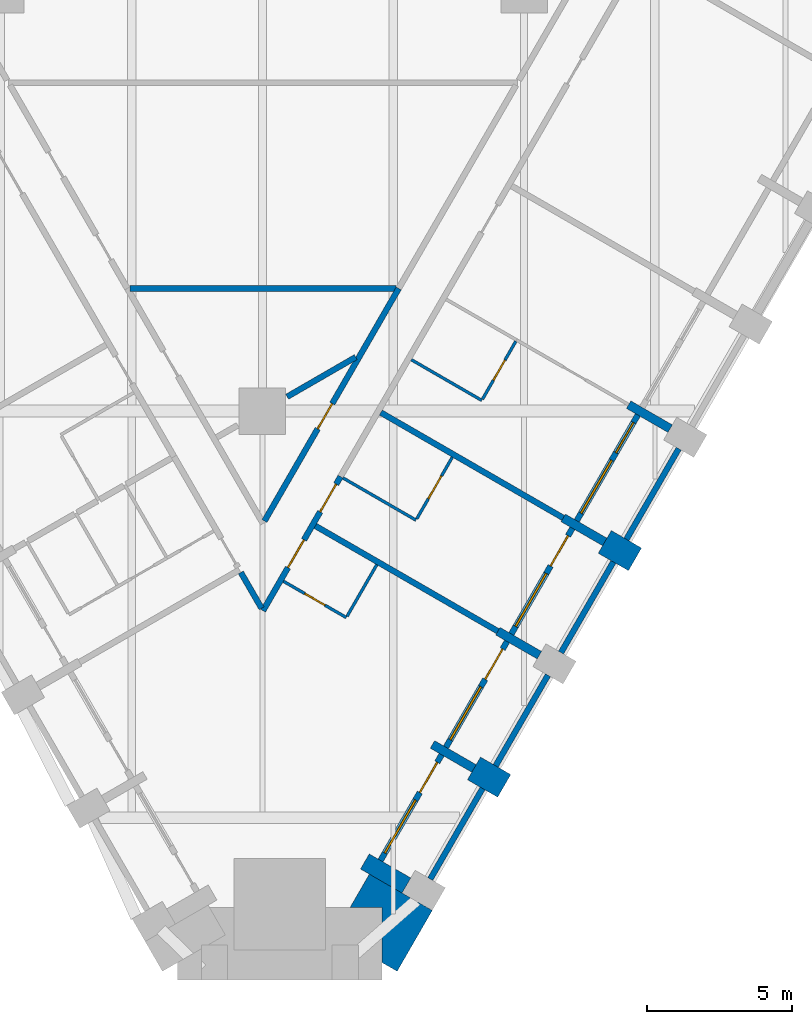
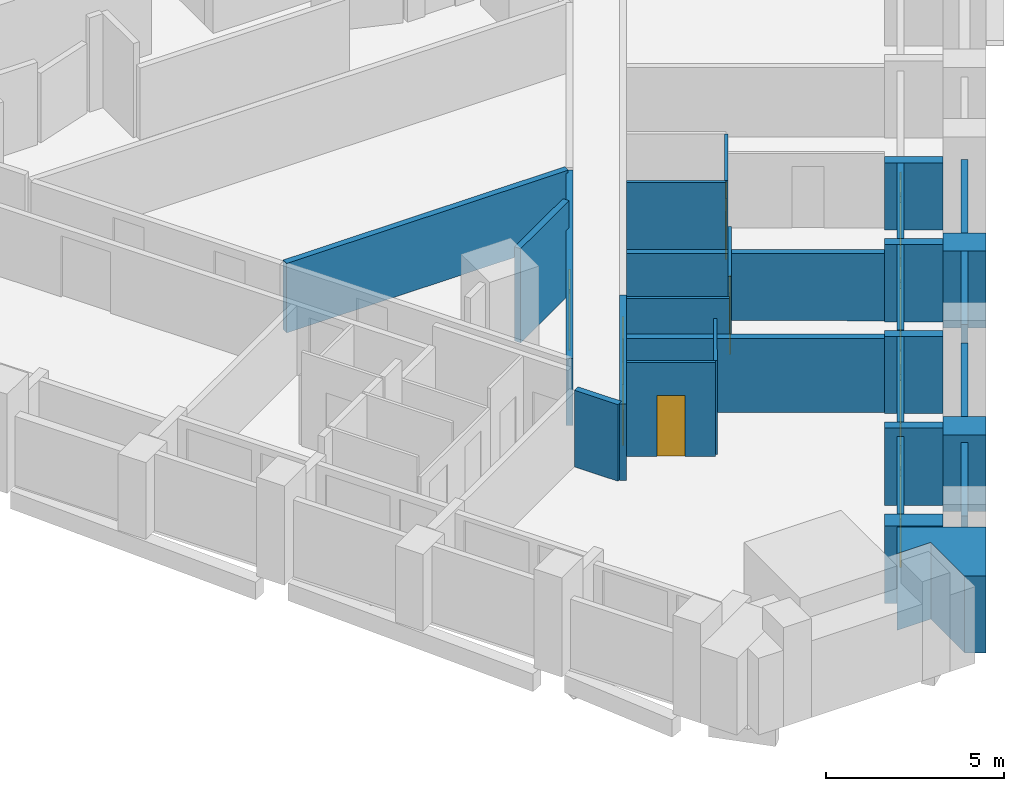
# One storey, part 4 of 10: 29 walls, 10 doors, 4 windows, 14 openings.
"""IFC4 building model written with IfcOpenShell, lengths in metres."""

from ifc_helpers import new_model, si_unit, direction, frame, frame_2d, origin, place, context, subcontext, project, spatial, polyline, rectangle, outline, extrude, material, layer, layer_set, type_object, element, fill, save


model = new_model("IFC4")

# Units and contexts
model_context = context("Model", 3, precision=1e-05, world=origin(), true_north=direction((0.0, 1.0)))
body_context = subcontext(model_context, "Body", "Model", "MODEL_VIEW")
ifc_project = project(units=[si_unit("LENGTHUNIT", "METRE"), si_unit("AREAUNIT", "SQUARE_METRE"), si_unit("VOLUMEUNIT", "CUBIC_METRE"), si_unit("PLANEANGLEUNIT", "RADIAN"), si_unit("MASSUNIT", "GRAM", prefix="KILO")], contexts=[model_context])

# Site, building, storey
site_placement = place(None, origin())
site = spatial("IfcSite", under=ifc_project, at=site_placement, CompositionType="ELEMENT")
building_placement = place(site_placement, origin())
building = spatial("IfcBuilding", under=site, at=building_placement, Name="Calabash Gate Tower", CompositionType="ELEMENT")
storey_placement = place(building_placement, frame((0.0, 0.0, 66.39990234375)))
storey = spatial("IfcBuildingStorey", under=building, at=storey_placement, Name="L12", CompositionType="ELEMENT", Elevation=66.39990234375)

# Walls
ifc_material_1 = material(Name="Terracotta brick masonry, exposed face", Category="masonry")
ifc_layer_1 = layer(ifc_material_1, 2.5)
ifc_layer_set_1 = layer_set([ifc_layer_1], Name="Brick corner mass wall 2500")
wall_type_1 = type_object("IfcWallType", Name="Brick corner mass wall 2500", PredefinedType="SOLIDWALL", material=ifc_layer_set_1)
wall_1_placement = place(storey_placement, origin())
element("IfcWall", 1, at=wall_1_placement, inside=storey, type_object=wall_type_1, Name="Brick corner pier S03 2c", PredefinedType="SOLIDWALL", context=body_context, shape_type="SweptSolid", body=[
    extrude(outline(polyline([(5.843017578125, -29.184814453125), (3.677978515625, -27.934814453125), (3.0185546875, -29.076904296875), (4.115478515625, -29.076904296875), (4.115478515625, -30.97705078125), (4.635009765625, -31.277099609375), (5.843017578125, -29.184814453125)])), origin(), (0.0, 0.0, 1.0), 2.630126953125),
])
ifc_material_2 = material(Name="Terracotta brick masonry, exposed face", Category="masonry")
ifc_layer_2 = layer(ifc_material_2, 1.199951171875)
ifc_layer_set_2 = layer_set([ifc_layer_2], Name="Brick end wall 1200")
wall_type_2 = type_object("IfcWallType", Name="Brick end wall 1200", PredefinedType="SOLIDWALL", material=ifc_layer_set_2)
for number, where, z_axis, x_axis, name in (
    (2, (7.27880859375, -24.298095703125, 0.0), (0.0, 0.0, 1.0), (0.866043267704, -0.499969057507, 0.0), "Brick pier S03 SE2.1"),
    (3, (12.81787109375, -17.103759765625, 0.0), (0.0, 0.0, 1.0), (-0.866043267704, 0.499969057507, 0.0), "Brick pier S03 SE2.3"),
):
    element("IfcWall", number, at=place(storey_placement, frame(where, z_axis=z_axis, x_axis=x_axis)), inside=storey, type_object=wall_type_2, Name=name, PredefinedType="SOLIDWALL", context=body_context, shape_type="SweptSolid", body=[
        extrude(rectangle(XDim=1.19970703125, YDim=0.89990234375, at=frame_2d((0.599853515625, 0.0))), origin(), (0.0, 0.0, 1.0), 2.630126953125),
    ])
ifc_material_3 = material(Name="Terracotta brick masonry, exposed face", Category="masonry")
ifc_layer_3 = layer(ifc_material_3, 0.300048828125)
ifc_layer_set_3 = layer_set([ifc_layer_3], Name="Brick loggia cheek wall 300")
wall_type_3 = type_object("IfcWallType", Name="Brick loggia cheek wall 300", PredefinedType="SOLIDWALL", material=ifc_layer_set_3)
wall_2_placement = place(storey_placement, frame((4.95361328125, -28.324951171875, 0.0), z_axis=(0.0, 0.0, 1.0), x_axis=(-0.866040211805, 0.499974350878, 0.0)))
element("IfcWall", 4, at=wall_2_placement, inside=storey, type_object=wall_type_3, Name="Loggia cheek S03 SE2.0", PredefinedType="SOLIDWALL", context=body_context, shape_type="SweptSolid", body=[
    extrude(rectangle(XDim=1.64990234375, YDim=0.60009765625, at=frame_2d((0.824951171875, 0.0))), origin(), (0.0, 0.0, 1.0), 2.650146484375),
])
wall_3_placement = place(storey_placement, frame((7.27880859375, -24.298095703125, 0.0), z_axis=(0.0, 0.0, 1.0), x_axis=(-0.866040211805, 0.499974350878, 0.0)))
element("IfcWall", 5, at=wall_3_placement, inside=storey, type_object=wall_type_3, Name="Loggia cheek S03 SE2.1", PredefinedType="SOLIDWALL", context=body_context, shape_type="SweptSolid", body=[
    extrude(rectangle(XDim=1.64990234375, YDim=0.300048828125, at=frame_2d((0.824951171875, 0.0))), origin(), (0.0, 0.0, 1.0), 2.650146484375),
])
wall_4_placement = place(storey_placement, frame((9.528564453125, -20.40087890625, 0.0), z_axis=(0.0, 0.0, 1.0), x_axis=(-0.866003217194, 0.500038426333, 0.0)))
element("IfcWall", 6, at=wall_4_placement, inside=storey, type_object=wall_type_3, Name="Loggia cheek S03 SE2.2", PredefinedType="SOLIDWALL", context=body_context, shape_type="SweptSolid", body=[
    extrude(rectangle(XDim=1.649658203125, YDim=0.300048828125, at=frame_2d((0.82470703125, 0.0))), origin(), (0.0, 0.0, 1.0), 2.650146484375),
])
wall_5_placement = place(storey_placement, frame((11.77880859375, -16.50390625, 0.0), z_axis=(0.0, 0.0, 1.0), x_axis=(-0.865976140824, 0.500085316245, 0.0)))
element("IfcWall", 7, at=wall_5_placement, inside=storey, type_object=wall_type_3, Name="Loggia cheek S03 SE2.3", PredefinedType="SOLIDWALL", context=body_context, shape_type="SweptSolid", body=[
    extrude(rectangle(XDim=1.650146484375, YDim=0.300048828125, at=frame_2d((0.8251953125, 0.0))), origin(), (0.0, 0.0, 1.0), 2.650146484375),
])
wall_6_placement = place(storey_placement, frame((14.028564453125, -12.606689453125, 0.0), z_axis=(0.0, 0.0, 1.0), x_axis=(-0.866003217194, 0.500038426333, 0.0)))
element("IfcWall", 8, at=wall_6_placement, inside=storey, type_object=wall_type_3, Name="Loggia cheek S03 SE2.4", PredefinedType="SOLIDWALL", context=body_context, shape_type="SweptSolid", body=[
    extrude(rectangle(XDim=1.649658203125, YDim=0.300048828125, at=frame_2d((0.82470703125, 0.0))), origin(), (0.0, 0.0, 1.0), 2.302490234375),
])
ifc_material_4 = material(Name="Gypsum board on steel studs, mineral wool", Category="steel")
ifc_layer_4 = layer(ifc_material_4, 0.10009765625)
ifc_layer_set_4 = layer_set([ifc_layer_4], Name="Partition 100 gypsum board")
wall_type_4 = type_object("IfcWallType", Name="Partition 100 gypsum board", PredefinedType="PARTITIONING", material=ifc_layer_set_4)
wall_7_placement = place(storey_placement, frame((2.911376953125, -19.0634765625, 0.0), z_axis=(0.0, 0.0, 1.0), x_axis=(0.499265284884, 0.866449176415, 0.0)))
element("IfcWall", 9, at=wall_7_placement, inside=storey, type_object=wall_type_4, Name="Partition", PredefinedType="PARTITIONING", context=body_context, shape_type="SweptSolid", body=[
    extrude(rectangle(XDim=2.0498046875, YDim=0.10009765625, at=frame_2d((1.02490234375, 0.0))), origin(), (0.0, 0.0, 1.0), 3.22998046875),
])

# Wall, opening, door
wall_8_placement = place(storey_placement, frame((0.72119140625, -17.85693359375, 0.0), z_axis=(0.0, 0.0, 1.0), x_axis=(0.866022959057, -0.500004234368, 0.0)))
wall_8 = element("IfcWall", 10, at=wall_8_placement, inside=storey, type_object=wall_type_4, Name="Partition", PredefinedType="PARTITIONING", context=body_context, shape_type="SweptSolid", body=[
    extrude(rectangle(XDim=2.5, YDim=0.10009765625, at=frame_2d((1.25, 0.0))), origin(), (0.0, 0.0, 1.0), 3.22998046875),
])
opening_1_placement = place(wall_8_placement, frame((0.85009765625, 0.0, 0.0)))
opening_1 = element("IfcOpeningElement", 11, at=opening_1_placement, cuts=wall_8, Name="Opening 12-14-014", PredefinedType="OPENING", context=body_context, shape_type="SweptSolid", body=[
    extrude(rectangle(XDim=0.800048828125, YDim=2.10009765625, at=frame_2d((0.39990234375, 1.050048828125))), frame((0.0, 0.06005859375, 0.0), z_axis=(0.0, -1.0, 0.0), x_axis=(1.0, 0.0, 0.0)), (0.0, 0.0, 1.0), 0.1201171875),
])
ifc_material_5 = material(Name="Painted timber door", Category="wood")
door_type_1 = type_object("IfcDoorType", Name="GD5 En-suite door 800x2100", OperationType="NOTDEFINED", PredefinedType="DOOR", material=ifc_material_5)
door_1_placement = place(opening_1_placement, origin())
door_1 = element("IfcDoor", 12, at=door_1_placement, inside=storey, type_object=door_type_1, Name="En-suite door", OperationType="SINGLE_SWING_LEFT", OverallHeight=2.10009765625, OverallWidth=0.800048828125, PredefinedType="DOOR", context=body_context, shape_type="SweptSolid", body=[
    extrude(rectangle(XDim=0.800048828125, YDim=2.10009765625, at=frame_2d((0.39990234375, 1.050048828125))), frame((0.0, 0.02490234375, 0.0), z_axis=(0.0, -1.0, 0.0), x_axis=(1.0, 0.0, 0.0)), (0.0, 0.0, 1.0), 0.050048828125),
])
fill(opening_1, door_1)

wall_9_placement = place(storey_placement, frame((5.3076171875, -15.712158203125, 0.0), z_axis=(0.0, 0.0, 1.0), x_axis=(0.500018594424, 0.866014668023, 0.0)))
wall_9 = element("IfcWall", 13, at=wall_9_placement, inside=storey, type_object=wall_type_4, Name="Partition", PredefinedType="PARTITIONING", context=body_context, shape_type="SweptSolid", body=[
    extrude(rectangle(XDim=2.4501953125, YDim=0.10009765625, at=frame_2d((1.22509765625, 0.0))), origin(), (0.0, 0.0, 1.0), 3.22998046875),
])
opening_2_placement = place(wall_9_placement, frame((0.800048828125, 0.0, 0.0)))
opening_2 = element("IfcOpeningElement", 14, at=opening_2_placement, cuts=wall_9, Name="Opening 12-14-005", PredefinedType="OPENING", context=body_context, shape_type="SweptSolid", body=[
    extrude(rectangle(XDim=0.89990234375, YDim=2.10009765625, at=frame_2d((0.449951171875, 1.050048828125))), frame((0.0, 0.06005859375, 0.0), z_axis=(0.0, -1.0, 0.0), x_axis=(1.0, 0.0, 0.0)), (0.0, 0.0, 1.0), 0.1201171875),
])
ifc_material_6 = material(Name="Painted timber door", Category="wood")
door_type_2 = type_object("IfcDoorType", Name="GD6 Accessible en-suite door 900x2100", OperationType="NOTDEFINED", PredefinedType="DOOR", material=ifc_material_6)
door_2_placement = place(opening_2_placement, origin())
door_2 = element("IfcDoor", 15, at=door_2_placement, inside=storey, type_object=door_type_2, Name="Accessible en-suite door", OperationType="SINGLE_SWING_LEFT", OverallHeight=2.10009765625, OverallWidth=0.89990234375, PredefinedType="DOOR", context=body_context, shape_type="SweptSolid", body=[
    extrude(rectangle(XDim=0.89990234375, YDim=2.10009765625, at=frame_2d((0.449951171875, 1.050048828125))), frame((0.0, 0.02490234375, 0.0), z_axis=(0.0, -1.0, 0.0), x_axis=(1.0, 0.0, 0.0)), (0.0, 0.0, 1.0), 0.050048828125),
])
fill(opening_2, door_2)

# Wall
wall_10_placement = place(storey_placement, frame((2.772216796875, -14.30419921875, 0.0), z_axis=(0.0, 0.0, 1.0), x_axis=(0.865729701078, -0.500511822708, 0.0)))
element("IfcWall", 16, at=wall_10_placement, inside=storey, type_object=wall_type_4, Name="Partition", PredefinedType="PARTITIONING", context=body_context, shape_type="SweptSolid", body=[
    extrude(rectangle(XDim=2.89990234375, YDim=0.10009765625, at=frame_2d((1.449951171875, 0.0))), origin(), (0.0, 0.0, 1.0), 2.552001953125),
])

# Wall, opening, door
wall_11_placement = place(storey_placement, frame((7.57080078125, -11.591796875, 0.0), z_axis=(0.0, 0.0, 1.0), x_axis=(0.499418922955, 0.86636062895, 0.0)))
wall_11 = element("IfcWall", 17, at=wall_11_placement, inside=storey, type_object=wall_type_4, Name="Partition", PredefinedType="PARTITIONING", context=body_context, shape_type="SweptSolid", body=[
    extrude(rectangle(XDim=2.298095703125, YDim=0.10009765625, at=frame_2d((1.14892578125, 0.0))), origin(), (0.0, 0.0, 1.0), 3.22998046875),
])
opening_3_placement = place(wall_11_placement, frame((0.75, 0.0, 0.0)))
opening_3 = element("IfcOpeningElement", 18, at=opening_3_placement, cuts=wall_11, Name="Opening 12-14-008", PredefinedType="OPENING", context=body_context, shape_type="SweptSolid", body=[
    extrude(rectangle(XDim=0.800048828125, YDim=2.10009765625, at=frame_2d((0.39990234375, 1.050048828125))), frame((0.0, 0.06005859375, 0.0), z_axis=(0.0, -1.0, 0.0), x_axis=(1.0, 0.0, 0.0)), (0.0, 0.0, 1.0), 0.1201171875),
])
door_3_placement = place(opening_3_placement, origin())
door_3 = element("IfcDoor", 19, at=door_3_placement, inside=storey, type_object=door_type_1, Name="En-suite door", OperationType="SINGLE_SWING_LEFT", OverallHeight=2.10009765625, OverallWidth=0.800048828125, PredefinedType="DOOR", context=body_context, shape_type="SweptSolid", body=[
    extrude(rectangle(XDim=0.800048828125, YDim=2.10009765625, at=frame_2d((0.39990234375, 1.050048828125))), frame((0.0, 0.02490234375, 0.0), z_axis=(0.0, -1.0, 0.0), x_axis=(1.0, 0.0, 0.0)), (0.0, 0.0, 1.0), 0.050048828125),
])
fill(opening_3, door_3)

# Wall
wall_12_placement = place(storey_placement, frame((5.1220703125, -10.23388671875, 0.0), z_axis=(0.0, 0.0, 1.0), x_axis=(0.86575844616, -0.500462099367, 0.0)))
element("IfcWall", 20, at=wall_12_placement, inside=storey, type_object=wall_type_4, Name="Partition", PredefinedType="PARTITIONING", context=body_context, shape_type="SweptSolid", body=[
    extrude(rectangle(XDim=2.799560546875, YDim=0.10009765625, at=frame_2d((1.39990234375, 0.0))), origin(), (0.0, 0.0, 1.0), 3.22998046875),
])

# Wall, openings, doors
ifc_material_7 = material(Name="Gypsum board on steel studs, mineral wool", Category="steel")
ifc_layer_5 = layer(ifc_material_7, 0.199951171875)
ifc_layer_set_5 = layer_set([ifc_layer_5], Name="Partition 200 gypsum board EI 60")
wall_type_5 = type_object("IfcWallType", Name="Partition 200 gypsum board EI 60", PredefinedType="PARTITIONING", material=ifc_layer_set_5)
wall_13_placement = place(storey_placement, frame((0.01953125, -18.8720703125, 0.0), z_axis=(0.0, 0.0, 1.0), x_axis=(0.500389767685, 0.865800254329, 0.0)))
wall_13 = element("IfcWall", 21, at=wall_13_placement, inside=storey, type_object=wall_type_5, Name="Partition", PredefinedType="PARTITIONING", context=body_context, shape_type="SweptSolid", body=[
    extrude(rectangle(XDim=5.330322265625, YDim=0.199951171875, at=frame_2d((2.6650390625, 0.0))), origin(), (0.0, 0.0, 1.0), 2.628173828125),
])
opening_4_placement = place(wall_13_placement, frame((3.9306640625, 0.0, 0.0)))
opening_4 = element("IfcOpeningElement", 22, at=opening_4_placement, cuts=wall_13, Name="Opening 12-14-004", PredefinedType="OPENING", context=body_context, shape_type="SweptSolid", body=[
    extrude(rectangle(XDim=1.10009765625, YDim=2.10009765625, at=frame_2d((0.550048828125, 1.050048828125))), frame((0.0, 0.10986328125, 0.0), z_axis=(0.0, -1.0, 0.0), x_axis=(1.0, 0.0, 0.0)), (0.0, 0.0, 1.0), 0.219970703125),
])
opening_5_placement = place(wall_13_placement, frame((1.715087890625, 0.0, 0.0)))
opening_5 = element("IfcOpeningElement", 23, at=opening_5_placement, cuts=wall_13, Name="Opening 12-14-024", PredefinedType="OPENING", context=body_context, shape_type="SweptSolid", body=[
    extrude(rectangle(XDim=1.10009765625, YDim=2.10009765625, at=frame_2d((0.550048828125, 1.050048828125))), frame((0.0, 0.10986328125, 0.0), z_axis=(0.0, -1.0, 0.0), x_axis=(1.0, 0.0, 0.0)), (0.0, 0.0, 1.0), 0.219970703125),
])
ifc_material_8 = material(Name="Steel fire door set with fire-resisting glazing", Category="steel")
door_type_3 = type_object("IfcDoorType", Name="GD2 Accessible guest room entrance door 1100x2100", OperationType="NOTDEFINED", PredefinedType="DOOR", material=ifc_material_8)
door_4_placement = place(opening_4_placement, origin())
door_4 = element("IfcDoor", 24, at=door_4_placement, inside=storey, type_object=door_type_3, Name="Accessible guest room entrance door", OperationType="SINGLE_SWING_RIGHT", OverallHeight=2.10009765625, OverallWidth=1.10009765625, PredefinedType="DOOR", context=body_context, shape_type="SweptSolid", body=[
    extrude(rectangle(XDim=1.10009765625, YDim=2.10009765625, at=frame_2d((0.550048828125, 1.050048828125))), frame((0.0, 0.02490234375, 0.0), z_axis=(0.0, -1.0, 0.0), x_axis=(1.0, 0.0, 0.0)), (0.0, 0.0, 1.0), 0.050048828125),
])
fill(opening_4, door_4)
ifc_material_9 = material(Name="Steel fire door set with fire-resisting glazing", Category="steel")
door_type_4 = type_object("IfcDoorType", Name="GD3 Suite entrance door 1100x2100", OperationType="NOTDEFINED", PredefinedType="DOOR", material=ifc_material_9)
door_5_placement = place(opening_5_placement, origin())
door_5 = element("IfcDoor", 25, at=door_5_placement, inside=storey, type_object=door_type_4, Name="Suite entrance door", OperationType="SINGLE_SWING_RIGHT", OverallHeight=2.10009765625, OverallWidth=1.10009765625, PredefinedType="DOOR", context=body_context, shape_type="SweptSolid", body=[
    extrude(rectangle(XDim=1.10009765625, YDim=2.10009765625, at=frame_2d((0.550048828125, 1.050048828125))), frame((0.0, 0.02490234375, 0.0), z_axis=(0.0, -1.0, 0.0), x_axis=(1.0, 0.0, 0.0)), (0.0, 0.0, 1.0), 0.050048828125),
])
fill(opening_5, door_5)

# Walls
wall_14_placement = place(storey_placement, frame((-0.742919921875, -17.55517578125, 0.0), z_axis=(0.0, 0.0, 1.0), x_axis=(0.501049807784, -0.865418447989, 0.0)))
element("IfcWall", 26, at=wall_14_placement, inside=storey, type_object=wall_type_5, Name="Partition", PredefinedType="PARTITIONING", context=body_context, shape_type="SweptSolid", body=[
    extrude(rectangle(XDim=1.421875, YDim=0.199951171875, at=frame_2d((0.7109375, 0.0))), origin(), (0.0, 0.0, 1.0), 2.628173828125),
])
wall_15_placement = place(storey_placement, frame((1.82177734375, -15.95361328125, 0.0), z_axis=(0.0, 0.0, 1.0), x_axis=(0.866029090493, -0.499993614378, 0.0)))
element("IfcWall", 27, at=wall_15_placement, inside=storey, type_object=wall_type_5, Name="Partition", PredefinedType="PARTITIONING", context=body_context, shape_type="SweptSolid", body=[
    extrude(rectangle(XDim=7.248046875, YDim=0.199951171875, at=frame_2d((3.6240234375, 0.0))), origin(), (0.0, 0.0, 1.0), 2.552001953125),
])

# Wall, opening, door
wall_16_placement = place(storey_placement, frame((0.0693359375, -15.78466796875, 0.0), z_axis=(0.0, 0.0, 1.0), x_axis=(0.499998459685, 0.866026293084, 0.0)))
wall_16 = element("IfcWall", 28, at=wall_16_placement, inside=storey, type_object=wall_type_5, Name="Partition", PredefinedType="PARTITIONING", context=body_context, shape_type="SweptSolid", body=[
    extrude(rectangle(XDim=9.2392578125, YDim=0.199951171875, at=frame_2d((4.61962890625, 0.0))), origin(), (0.0, 0.0, 1.0), 2.302490234375),
])
opening_6_placement = place(wall_16_placement, frame((3.6630859375, 0.0, 0.0)))
opening_6 = element("IfcOpeningElement", 29, at=opening_6_placement, cuts=wall_16, Name="Opening 12-14-012", PredefinedType="OPENING", context=body_context, shape_type="SweptSolid", body=[
    extrude(rectangle(XDim=1.0, YDim=2.10009765625, at=frame_2d((0.5, 1.050048828125))), frame((0.0, 0.10986328125, 0.0), z_axis=(0.0, -1.0, 0.0), x_axis=(1.0, 0.0, 0.0)), (0.0, 0.0, 1.0), 0.219970703125),
])
ifc_material_10 = material(Name="Steel fire door set with fire-resisting glazing", Category="steel")
door_type_5 = type_object("IfcDoorType", Name="LD2 Meeting room door 1000x2100", OperationType="NOTDEFINED", PredefinedType="DOOR", material=ifc_material_10)
door_6_placement = place(opening_6_placement, origin())
door_6 = element("IfcDoor", 30, at=door_6_placement, inside=storey, type_object=door_type_5, Name="Meeting room door", OperationType="SINGLE_SWING_LEFT", OverallHeight=2.10009765625, OverallWidth=1.0, PredefinedType="DOOR", context=body_context, shape_type="SweptSolid", body=[
    extrude(rectangle(XDim=1.0, YDim=2.10009765625, at=frame_2d((0.5, 1.050048828125))), frame((0.0, 0.02490234375, 0.0), z_axis=(0.0, -1.0, 0.0), x_axis=(1.0, 0.0, 0.0)), (0.0, 0.0, 1.0), 0.050048828125),
])
fill(opening_6, door_6)

# Walls
wall_17_placement = place(storey_placement, frame((4.072265625, -12.05224609375, 0.0), z_axis=(0.0, 0.0, 1.0), x_axis=(0.865900080757, -0.500217003055, 0.0)))
element("IfcWall", 31, at=wall_17_placement, inside=storey, type_object=wall_type_5, Name="Partition", PredefinedType="PARTITIONING", context=body_context, shape_type="SweptSolid", body=[
    extrude(rectangle(XDim=7.249755859375, YDim=0.199951171875, at=frame_2d((3.625, 0.0))), origin(), (0.0, 0.0, 1.0), 2.302490234375),
])
wall_18_placement = place(storey_placement, frame((0.85009765625, -11.509033203125, 0.0), z_axis=(0.0, 0.0, 1.0), x_axis=(0.865994487098, 0.500053545449, 0.0)))
element("IfcWall", 32, at=wall_18_placement, inside=storey, type_object=wall_type_5, Name="Partition", PredefinedType="PARTITIONING", context=body_context, shape_type="SweptSolid", body=[
    extrude(rectangle(XDim=2.723388671875, YDim=0.199951171875, at=frame_2d((1.36181640625, 0.0))), origin(), (0.0, 0.0, 1.0), 3.22998046875),
])
wall_19_placement = place(storey_placement, frame((-4.5498046875, -7.783935546875, 0.0), z_axis=(0.0, 0.0, 1.0), x_axis=(1.0, 0.0, 0.0)))
element("IfcWall", 33, at=wall_19_placement, inside=storey, type_object=wall_type_5, Name="Partition", PredefinedType="PARTITIONING", context=body_context, shape_type="SweptSolid", body=[
    extrude(rectangle(XDim=9.13818359375, YDim=0.199951171875, at=frame_2d((4.569091796875, 0.0))), origin(), (0.0, 0.0, 1.0), 2.38427734375),
])
ifc_material_11 = material(Name="Terracotta brick masonry, perforated", Category="masonry")
ifc_layer_6 = layer(ifc_material_11, 0.199951171875)
ifc_layer_set_6 = layer_set([ifc_layer_6], Name="Terracotta jaali screen A")
wall_type_6 = type_object("IfcWallType", Name="Terracotta jaali screen A", PredefinedType="SOLIDWALL", material=ifc_layer_set_6)
wall_20_placement = place(storey_placement, origin())
element("IfcWall", 34, at=wall_20_placement, inside=storey, type_object=wall_type_6, Name="SCREEN A S03 SE2.1", PredefinedType="SOLIDWALL", context=body_context, shape_type="SweptSolid", body=[
    extrude(outline(polyline([(7.48681640625, -24.937744140625), (5.6875, -28.053955078125), (5.86083984375, -28.154052734375), (7.659912109375, -25.037841796875), (7.48681640625, -24.937744140625)])), origin(), (0.0, 0.0, 1.0), 2.3740234375),
])
for number, where, z_axis, x_axis, name in (
    (35, (8.0234375, -24.208251953125, 0.0), (0.0, 0.0, 1.0), (0.499961193289, 0.866047807691, 0.0), "SCREEN A S03 SE2.2"),
    (36, (10.2734375, -20.311279296875, 0.0), (0.0, 0.0, 1.0), (0.499961193289, 0.866047807691, 0.0), "SCREEN A S03 SE2.3"),
    (37, (12.5234375, -16.4140625, 0.0), (0.0, 0.0, 1.0), (0.499961193289, 0.866047807691, 0.0), "SCREEN A S03 SE2.4"),
):
    element("IfcWall", number, at=place(storey_placement, frame(where, z_axis=z_axis, x_axis=x_axis)), inside=storey, type_object=wall_type_6, Name=name, PredefinedType="SOLIDWALL", context=body_context, shape_type="SweptSolid", body=[
        extrude(rectangle(XDim=3.599853515625, YDim=0.199951171875, at=frame_2d((1.7998046875, 0.0))), origin(), (0.0, 0.0, 1.0), 2.630126953125),
    ])

# Wall, openings, door, window
ifc_material_12 = material(Name="Aluminium framed window wall with insulated spandrel", Category="aluminium")
ifc_layer_7 = layer(ifc_material_12, 0.199951171875)
ifc_layer_set_7 = layer_set([ifc_layer_7], Name="Window wall 200")
wall_type_7 = type_object("IfcWallType", Name="Window wall 200", PredefinedType="ELEMENTEDWALL", material=ifc_layer_set_7)
wall_21_placement = place(storey_placement, frame((4.064453125, -27.46533203125, 0.0), z_axis=(0.0, 0.0, 1.0), x_axis=(0.500002543286, 0.866023935413, 0.0)))
wall_21 = element("IfcWall", 38, at=wall_21_placement, inside=storey, type_object=wall_type_7, Name="Window wall S03 SE2.1", PredefinedType="ELEMENTEDWALL", context=body_context, shape_type="SweptSolid", body=[
    extrude(rectangle(XDim=4.2001953125, YDim=0.199951171875, at=frame_2d((2.10009765625, 0.0))), origin(), (0.0, 0.0, 1.0), 2.3740234375),
])
opening_7_placement = place(wall_21_placement, frame((0.300048828125, 0.0, 0.60009765625)))
opening_7 = element("IfcOpeningElement", 39, at=opening_7_placement, cuts=wall_21, Name="Opening HW1L-1670", PredefinedType="OPENING", context=body_context, shape_type="SweptSolid", body=[
    extrude(rectangle(XDim=2.10009765625, YDim=1.669921875, at=frame_2d((1.050048828125, 0.8349609375))), frame((0.0, 0.10986328125, 0.0), z_axis=(0.0, -1.0, 0.0), x_axis=(1.0, 0.0, 0.0)), (0.0, 0.0, 1.0), 0.219970703125),
])
opening_8_placement = place(wall_21_placement, frame((2.699951171875, 0.0, 0.0)))
opening_8 = element("IfcOpeningElement", 40, at=opening_8_placement, cuts=wall_21, Name="Opening H3-020", PredefinedType="OPENING", context=body_context, shape_type="SweptSolid", body=[
    extrude(rectangle(XDim=1.199951171875, YDim=2.27001953125, at=frame_2d((0.60009765625, 1.135009765625))), frame((0.0, 0.10986328125, 0.0), z_axis=(0.0, -1.0, 0.0), x_axis=(1.0, 0.0, 0.0)), (0.0, 0.0, 1.0), 0.219970703125),
])
ifc_material_13 = material(Name="Anodised aluminium frame, bronze finish, impact-rated laminated clear glazing", Category="aluminium")
door_type_6 = type_object("IfcDoorType", Name="Loggia door DH1L-2270 1200x2270", OperationType="SLIDING_TO_LEFT", PredefinedType="DOOR", material=ifc_material_13)
door_7_placement = place(opening_8_placement, origin())
door_7 = element("IfcDoor", 41, at=door_7_placement, inside=storey, type_object=door_type_6, Name="Loggia door S03 SE2.1", OperationType="SINGLE_SWING_LEFT", OverallHeight=2.27001953125, OverallWidth=1.199951171875, PredefinedType="DOOR", context=body_context, shape_type="SweptSolid", body=[
    extrude(rectangle(XDim=1.199951171875, YDim=2.27001953125, at=frame_2d((0.60009765625, 1.135009765625))), frame((0.0, 0.02490234375, 0.0), z_axis=(0.0, -1.0, 0.0), x_axis=(1.0, 0.0, 0.0)), (0.0, 0.0, 1.0), 0.050048828125),
])
fill(opening_8, door_7)
ifc_material_14 = material(Name="Anodised aluminium frame, bronze finish, impact-rated laminated clear glazing", Category="aluminium")
window_type_1 = type_object("IfcWindowType", Name="Window HW1L 2100x1670", PartitioningType="DOUBLE_PANEL_VERTICAL", PredefinedType="WINDOW", material=ifc_material_14)
window_1_placement = place(opening_7_placement, origin())
window_1 = element("IfcWindow", 42, at=window_1_placement, inside=storey, type_object=window_type_1, Name="Window HW1 S03 SE2.1", OverallHeight=1.669921875, OverallWidth=2.10009765625, PartitioningType="SINGLE_PANEL", PredefinedType="WINDOW", context=body_context, shape_type="SweptSolid", body=[
    extrude(rectangle(XDim=2.10009765625, YDim=1.669921875, at=frame_2d((1.050048828125, 0.8349609375))), frame((0.0, 0.030029296875, 0.0), z_axis=(0.0, -1.0, 0.0), x_axis=(1.0, 0.0, 0.0)), (0.0, 0.0, 1.0), 0.06005859375),
])
fill(opening_7, window_1)

wall_22_placement = place(storey_placement, frame((6.314453125, -23.568115234375, 0.0), z_axis=(0.0, 0.0, 1.0), x_axis=(0.500027713859, 0.866009402589, 0.0)))
wall_22 = element("IfcWall", 43, at=wall_22_placement, inside=storey, type_object=wall_type_7, Name="Window wall S03 SE2.2", PredefinedType="ELEMENTEDWALL", context=body_context, shape_type="SweptSolid", body=[
    extrude(rectangle(XDim=4.199951171875, YDim=0.199951171875, at=frame_2d((2.10009765625, 0.0))), origin(), (0.0, 0.0, 1.0), 2.650146484375),
])
opening_9_placement = place(wall_22_placement, frame((0.300048828125, 0.0, 0.60009765625)))
opening_9 = element("IfcOpeningElement", 44, at=opening_9_placement, cuts=wall_22, Name="Opening HW1", PredefinedType="OPENING", context=body_context, shape_type="SweptSolid", body=[
    extrude(rectangle(XDim=2.10009765625, YDim=1.800048828125, at=frame_2d((1.050048828125, 0.89990234375))), frame((0.0, 0.10986328125, 0.0), z_axis=(0.0, -1.0, 0.0), x_axis=(1.0, 0.0, 0.0)), (0.0, 0.0, 1.0), 0.219970703125),
])
opening_10_placement = place(wall_22_placement, frame((2.699951171875, 0.0, 0.0)))
opening_10 = element("IfcOpeningElement", 45, at=opening_10_placement, cuts=wall_22, Name="Opening H3-021", PredefinedType="OPENING", context=body_context, shape_type="SweptSolid", body=[
    extrude(rectangle(XDim=1.199951171875, YDim=2.39990234375, at=frame_2d((0.60009765625, 1.199951171875))), frame((0.0, 0.10986328125, 0.0), z_axis=(0.0, -1.0, 0.0), x_axis=(1.0, 0.0, 0.0)), (0.0, 0.0, 1.0), 0.219970703125),
])
ifc_material_15 = material(Name="Anodised aluminium frame, bronze finish, impact-rated laminated clear glazing", Category="aluminium")
door_type_7 = type_object("IfcDoorType", Name="Loggia door DH1 1200x2400", OperationType="SLIDING_TO_LEFT", PredefinedType="DOOR", material=ifc_material_15)
door_8_placement = place(opening_10_placement, origin())
door_8 = element("IfcDoor", 46, at=door_8_placement, inside=storey, type_object=door_type_7, Name="Loggia door S03 SE2.2", OperationType="SINGLE_SWING_LEFT", OverallHeight=2.39990234375, OverallWidth=1.199951171875, PredefinedType="DOOR", context=body_context, shape_type="SweptSolid", body=[
    extrude(rectangle(XDim=1.199951171875, YDim=2.39990234375, at=frame_2d((0.60009765625, 1.199951171875))), frame((0.0, 0.02490234375, 0.0), z_axis=(0.0, -1.0, 0.0), x_axis=(1.0, 0.0, 0.0)), (0.0, 0.0, 1.0), 0.050048828125),
])
fill(opening_10, door_8)
ifc_material_16 = material(Name="Anodised aluminium frame, bronze finish, impact-rated laminated clear glazing", Category="aluminium")
window_type_2 = type_object("IfcWindowType", Name="Window HW1 2100x1800", PartitioningType="DOUBLE_PANEL_VERTICAL", PredefinedType="WINDOW", material=ifc_material_16)
window_2_placement = place(opening_9_placement, origin())
window_2 = element("IfcWindow", 47, at=window_2_placement, inside=storey, type_object=window_type_2, Name="Window HW1 S03 SE2.2", OverallHeight=1.800048828125, OverallWidth=2.10009765625, PartitioningType="SINGLE_PANEL", PredefinedType="WINDOW", context=body_context, shape_type="SweptSolid", body=[
    extrude(rectangle(XDim=2.10009765625, YDim=1.800048828125, at=frame_2d((1.050048828125, 0.89990234375))), frame((0.0, 0.030029296875, 0.0), z_axis=(0.0, -1.0, 0.0), x_axis=(1.0, 0.0, 0.0)), (0.0, 0.0, 1.0), 0.06005859375),
])
fill(opening_9, window_2)

wall_23_placement = place(storey_placement, frame((8.564453125, -19.6708984375, 0.0), z_axis=(0.0, 0.0, 1.0), x_axis=(0.500027713859, 0.866009402589, 0.0)))
wall_23 = element("IfcWall", 48, at=wall_23_placement, inside=storey, type_object=wall_type_7, Name="Window wall S03 SE2.3", PredefinedType="ELEMENTEDWALL", context=body_context, shape_type="SweptSolid", body=[
    extrude(rectangle(XDim=4.199951171875, YDim=0.199951171875, at=frame_2d((2.10009765625, 0.0))), origin(), (0.0, 0.0, 1.0), 2.650146484375),
])
opening_11_placement = place(wall_23_placement, frame((0.300048828125, 0.0, 0.60009765625)))
opening_11 = element("IfcOpeningElement", 49, at=opening_11_placement, cuts=wall_23, Name="Opening HW1", PredefinedType="OPENING", context=body_context, shape_type="SweptSolid", body=[
    extrude(rectangle(XDim=2.10009765625, YDim=1.800048828125, at=frame_2d((1.050048828125, 0.89990234375))), frame((0.0, 0.10986328125, 0.0), z_axis=(0.0, -1.0, 0.0), x_axis=(1.0, 0.0, 0.0)), (0.0, 0.0, 1.0), 0.219970703125),
])
opening_12_placement = place(wall_23_placement, frame((2.699951171875, 0.0, 0.0)))
opening_12 = element("IfcOpeningElement", 50, at=opening_12_placement, cuts=wall_23, Name="Opening H3-022", PredefinedType="OPENING", context=body_context, shape_type="SweptSolid", body=[
    extrude(rectangle(XDim=1.199951171875, YDim=2.39990234375, at=frame_2d((0.60009765625, 1.199951171875))), frame((0.0, 0.10986328125, 0.0), z_axis=(0.0, -1.0, 0.0), x_axis=(1.0, 0.0, 0.0)), (0.0, 0.0, 1.0), 0.219970703125),
])
door_9_placement = place(opening_12_placement, origin())
door_9 = element("IfcDoor", 51, at=door_9_placement, inside=storey, type_object=door_type_7, Name="Loggia door S03 SE2.3", OperationType="SINGLE_SWING_LEFT", OverallHeight=2.39990234375, OverallWidth=1.199951171875, PredefinedType="DOOR", context=body_context, shape_type="SweptSolid", body=[
    extrude(rectangle(XDim=1.199951171875, YDim=2.39990234375, at=frame_2d((0.60009765625, 1.199951171875))), frame((0.0, 0.02490234375, 0.0), z_axis=(0.0, -1.0, 0.0), x_axis=(1.0, 0.0, 0.0)), (0.0, 0.0, 1.0), 0.050048828125),
])
fill(opening_12, door_9)
window_3_placement = place(opening_11_placement, origin())
window_3 = element("IfcWindow", 52, at=window_3_placement, inside=storey, type_object=window_type_2, Name="Window HW1 S03 SE2.3", OverallHeight=1.800048828125, OverallWidth=2.10009765625, PartitioningType="SINGLE_PANEL", PredefinedType="WINDOW", context=body_context, shape_type="SweptSolid", body=[
    extrude(rectangle(XDim=2.10009765625, YDim=1.800048828125, at=frame_2d((1.050048828125, 0.89990234375))), frame((0.0, 0.030029296875, 0.0), z_axis=(0.0, -1.0, 0.0), x_axis=(1.0, 0.0, 0.0)), (0.0, 0.0, 1.0), 0.06005859375),
])
fill(opening_11, window_3)

wall_24_placement = place(storey_placement, frame((10.814453125, -15.77392578125, 0.0), z_axis=(0.0, 0.0, 1.0), x_axis=(0.500002543286, 0.866023935413, 0.0)))
wall_24 = element("IfcWall", 53, at=wall_24_placement, inside=storey, type_object=wall_type_7, Name="Window wall S03 SE2.4", PredefinedType="ELEMENTEDWALL", context=body_context, shape_type="SweptSolid", body=[
    extrude(rectangle(XDim=4.2001953125, YDim=0.199951171875, at=frame_2d((2.10009765625, 0.0))), origin(), (0.0, 0.0, 1.0), 2.302490234375),
])
opening_13_placement = place(wall_24_placement, frame((0.300048828125, 0.0, 0.60009765625)))
opening_13 = element("IfcOpeningElement", 54, at=opening_13_placement, cuts=wall_24, Name="Opening HW1L-1600", PredefinedType="OPENING", context=body_context, shape_type="SweptSolid", body=[
    extrude(rectangle(XDim=2.10009765625, YDim=1.60009765625, at=frame_2d((1.050048828125, 0.800048828125))), frame((0.0, 0.10986328125, 0.0), z_axis=(0.0, -1.0, 0.0), x_axis=(1.0, 0.0, 0.0)), (0.0, 0.0, 1.0), 0.219970703125),
])
opening_14_placement = place(wall_24_placement, frame((2.699951171875, 0.0, 0.0)))
opening_14 = element("IfcOpeningElement", 55, at=opening_14_placement, cuts=wall_24, Name="Opening H3-023", PredefinedType="OPENING", context=body_context, shape_type="SweptSolid", body=[
    extrude(rectangle(XDim=1.199951171875, YDim=2.199951171875, at=frame_2d((0.60009765625, 1.10009765625))), frame((0.0, 0.10986328125, 0.0), z_axis=(0.0, -1.0, 0.0), x_axis=(1.0, 0.0, 0.0)), (0.0, 0.0, 1.0), 0.219970703125),
])
ifc_material_17 = material(Name="Anodised aluminium frame, bronze finish, impact-rated laminated clear glazing", Category="aluminium")
door_type_8 = type_object("IfcDoorType", Name="Loggia door DH1L-2200 1200x2200", OperationType="SLIDING_TO_LEFT", PredefinedType="DOOR", material=ifc_material_17)
door_10_placement = place(opening_14_placement, origin())
door_10 = element("IfcDoor", 56, at=door_10_placement, inside=storey, type_object=door_type_8, Name="Loggia door S03 SE2.4", OperationType="SINGLE_SWING_LEFT", OverallHeight=2.199951171875, OverallWidth=1.199951171875, PredefinedType="DOOR", context=body_context, shape_type="SweptSolid", body=[
    extrude(rectangle(XDim=1.199951171875, YDim=2.199951171875, at=frame_2d((0.60009765625, 1.10009765625))), frame((0.0, 0.02490234375, 0.0), z_axis=(0.0, -1.0, 0.0), x_axis=(1.0, 0.0, 0.0)), (0.0, 0.0, 1.0), 0.050048828125),
])
fill(opening_14, door_10)
ifc_material_18 = material(Name="Anodised aluminium frame, bronze finish, impact-rated laminated clear glazing", Category="aluminium")
window_type_3 = type_object("IfcWindowType", Name="Window HW1L 2100x1600", PartitioningType="DOUBLE_PANEL_VERTICAL", PredefinedType="WINDOW", material=ifc_material_18)
window_4_placement = place(opening_13_placement, origin())
window_4 = element("IfcWindow", 57, at=window_4_placement, inside=storey, type_object=window_type_3, Name="Window HW1 S03 SE2.4", OverallHeight=1.60009765625, OverallWidth=2.10009765625, PartitioningType="SINGLE_PANEL", PredefinedType="WINDOW", context=body_context, shape_type="SweptSolid", body=[
    extrude(rectangle(XDim=2.10009765625, YDim=1.60009765625, at=frame_2d((1.050048828125, 0.800048828125))), frame((0.0, 0.030029296875, 0.0), z_axis=(0.0, -1.0, 0.0), x_axis=(1.0, 0.0, 0.0)), (0.0, 0.0, 1.0), 0.06005859375),
])
fill(opening_13, window_4)

save(model, "model.ifc")
